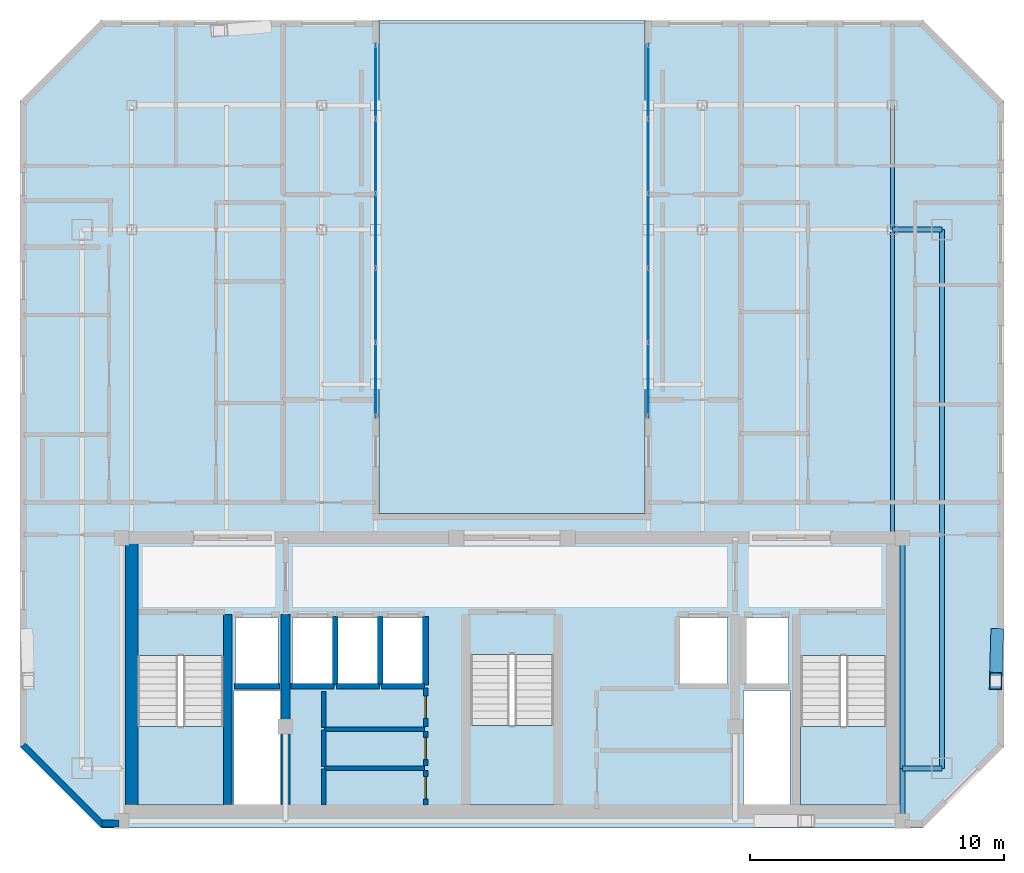
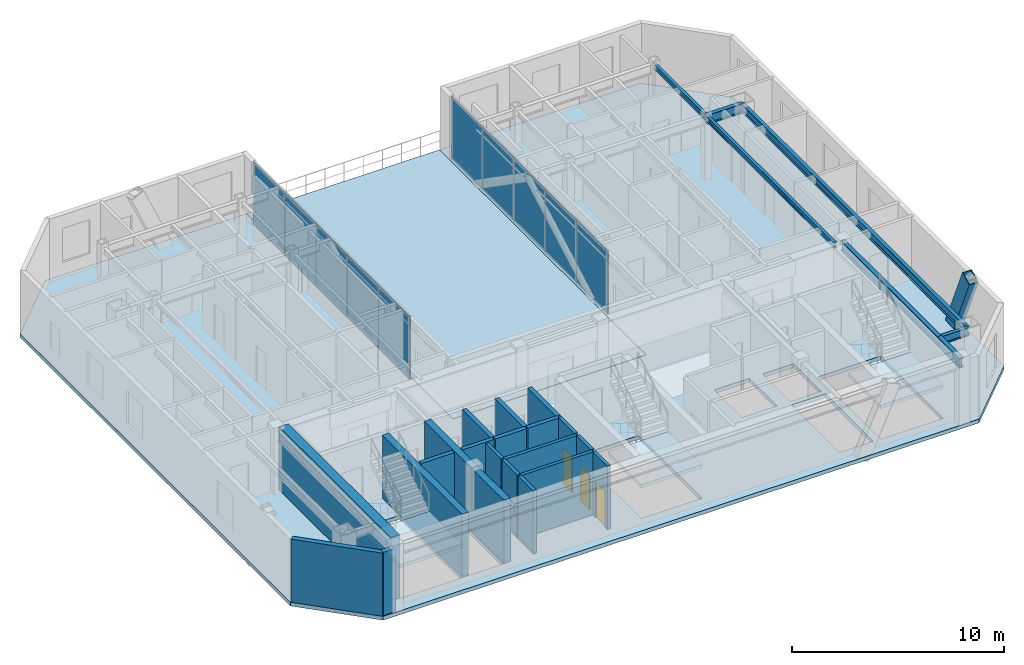
# One storey, part 8 of 14: 20 walls, 10 plates, 7 beams, 5 slabs, 3 doors, 1 member, 3 openings, 5 elements without a shape of their own.
"""IFC4 building model written with IfcOpenShell, lengths in metres."""

from ifc_helpers import new_model, si_unit, direction, frame, frame_2d, origin, origin_2d, place, context, subcontext, project, spatial, polyline, rectangle, hollow_rectangle, i_section, outline, extrude, material, layer, layer_set, material_profile, profile_set, type_object, element, fill, aggregate, save


model = new_model("IFC4")

# Units and contexts
model_context = context("Model", 3, precision=1e-05, world=origin(), true_north=direction((0.0, 1.0)))
body_context = subcontext(model_context, "Body", "Model", "MODEL_VIEW")
ifc_project = project(units=[si_unit("LENGTHUNIT", "METRE"), si_unit("AREAUNIT", "SQUARE_METRE"), si_unit("VOLUMEUNIT", "CUBIC_METRE"), si_unit("PLANEANGLEUNIT", "RADIAN"), si_unit("MASSUNIT", "GRAM", prefix="KILO")], contexts=[model_context])

# Site, building, storey
site_placement = place(None, origin())
site = spatial("IfcSite", under=ifc_project, at=site_placement, CompositionType="ELEMENT")
building_placement = place(site_placement, origin())
building = spatial("IfcBuilding", under=site, at=building_placement, Name="Ventersveld Concourse Tower", CompositionType="ELEMENT")
storey_placement = place(building_placement, frame((0.0, 0.0, 337.5)))
storey = spatial("IfcBuildingStorey", under=building, at=storey_placement, Name="L83", CompositionType="ELEMENT", Elevation=337.5)

# Beams
ifc_material_1 = material(Name="Structural steel S355J2", Category="steel")
ifc_material_profile_1 = material_profile(ifc_material_1, i_section(OverallWidth=0.1650390625, OverallDepth=0.303466796875, WebThickness=0.006103515625, FlangeThickness=0.01025390625, FilletRadius=0.0087890625, at=origin_2d()), Name="UB 305x165x40")
ifc_profile_set_1 = profile_set([ifc_material_profile_1], Name="Structural steel S355J2")
beam_type_1 = type_object("IfcBeamType", Name="BM-UB305", PredefinedType="BEAM", material=ifc_profile_set_1)
beam_1_placement = place(storey_placement, frame((43.75, 11.449951171875, 3.478271484375), z_axis=(0.0, 1.0, 0.0), x_axis=(-1.0, 0.0, 0.0)))
element("IfcBeam", 1, at=beam_1_placement, inside=storey, type_object=beam_type_1, Name="L83 N-S Composite Floor Beam South X=43.75", PredefinedType="BEAM", context=body_context, shape_type="SweptSolid", body=[
    extrude(i_section(OverallWidth=0.1650390625, OverallDepth=0.303466796875, WebThickness=0.006103515625, FlangeThickness=0.01025390625, FilletRadius=0.0087890625, at=origin_2d()), origin(), (0.0, 0.0, 1.0), 12.150146484375),
])
beam_2_placement = place(storey_placement, frame((43.75, 23.60009765625, 3.478271484375), z_axis=(0.0, 1.0, 0.0), x_axis=(-1.0, 0.0, 0.0)))
element("IfcBeam", 2, at=beam_2_placement, inside=storey, type_object=beam_type_1, Name="L83 N-S Upper-Zone Floor Beam X=43.75", PredefinedType="BEAM", context=body_context, shape_type="SweptSolid", body=[
    extrude(i_section(OverallWidth=0.1650390625, OverallDepth=0.303466796875, WebThickness=0.006103515625, FlangeThickness=0.01025390625, FilletRadius=0.0087890625, at=origin_2d()), origin(), (0.0, 0.0, 1.0), 4.89990234375),
])
ifc_material_profile_2 = material_profile(ifc_material_1, i_section(OverallWidth=0.209228515625, OverallDepth=0.533203125, WebThickness=0.010009765625, FlangeThickness=0.015625, FilletRadius=0.0126953125, at=origin_2d()), Name="UB 533x210x92")
ifc_profile_set_2 = profile_set([ifc_material_profile_2], Name="Structural steel S355J2")
beam_type_2 = type_object("IfcBeamType", Name="GRD-UB533", PredefinedType="T_BEAM", material=ifc_profile_set_2)
beam_3_placement = place(storey_placement, frame((43.75, 23.60009765625, 3.363525390625), z_axis=(1.0, 0.0, 0.0), x_axis=(0.0, 1.0, 0.0)))
element("IfcBeam", 3, at=beam_3_placement, inside=storey, type_object=beam_type_2, Name="L83 Primary E-W Grid Girder Y=23.60 #5", PredefinedType="T_BEAM", context=body_context, shape_type="SweptSolid", body=[
    extrude(i_section(OverallWidth=0.209228515625, OverallDepth=0.533203125, WebThickness=0.010009765625, FlangeThickness=0.015625, FilletRadius=0.0126953125, at=origin_2d()), origin(), (0.0, 0.0, 1.0), 1.949951171875),
])
ifc_material_profile_3 = material_profile(ifc_material_1, i_section(OverallWidth=0.2119140625, OverallDepth=0.54443359375, WebThickness=0.0126953125, FlangeThickness=0.021240234375, FilletRadius=0.0126953125, at=origin_2d()), Name="UB 533x210x122")
ifc_profile_set_3 = profile_set([ifc_material_profile_3], Name="Structural steel S355J2")
beam_type_3 = type_object("IfcBeamType", Name="GRD-UB533H", PredefinedType="T_BEAM", material=ifc_profile_set_3)
beam_4_placement = place(storey_placement, frame((44.14990234375, 0.280029296875, 3.35791015625), z_axis=(0.0, 1.0, 0.0), x_axis=(-1.0, 0.0, 0.0)))
element("IfcBeam", 4, at=beam_4_placement, inside=storey, type_object=beam_type_3, Name="L83 Core East Tie Beam S", PredefinedType="T_BEAM", context=body_context, shape_type="SweptSolid", body=[
    extrude(i_section(OverallWidth=0.2119140625, OverallDepth=0.54443359375, WebThickness=0.0126953125, FlangeThickness=0.021240234375, FilletRadius=0.0126953125, at=origin_2d()), origin(), (0.0, 0.0, 1.0), 2.070068359375),
])
beam_5_placement = place(storey_placement, frame((44.14990234375, 2.35009765625, 3.35791015625), z_axis=(0.0, 1.0, 0.0), x_axis=(-1.0, 0.0, 0.0)))
element("IfcBeam", 5, at=beam_5_placement, inside=storey, type_object=beam_type_3, Name="L83 Core East Tie Beam N", PredefinedType="T_BEAM", context=body_context, shape_type="SweptSolid", body=[
    extrude(i_section(OverallWidth=0.2119140625, OverallDepth=0.54443359375, WebThickness=0.0126953125, FlangeThickness=0.021240234375, FilletRadius=0.0126953125, at=origin_2d()), origin(), (0.0, 0.0, 1.0), 9.099853515625),
])

# Member
ifc_material_2 = material(Name="Structural steel S355ML", Category="steel")
ifc_material_profile_4 = material_profile(ifc_material_2, hollow_rectangle(XDim=0.5, YDim=0.75, WallThickness=0.034912109375, at=origin_2d()), Name="BOX 750x500x35")
ifc_profile_set_4 = profile_set([ifc_material_profile_4], Name="Structural steel S355ML")
member_type = type_object("IfcMemberType", Name="MB-750x500", PredefinedType="BRACE", material=ifc_profile_set_4)
member_placement = place(storey_placement, frame((47.87646484375, 7.521484375, -0.219970703125), z_axis=(-0.011632977634, -0.408601104942, 0.912638926888), x_axis=(0.9995949685, -0.028458723607, 0.0)))
element("IfcMember", 6, at=member_placement, inside=storey, type_object=member_type, Name="L83 Exterior Mega-Brace E (Module M20)", PredefinedType="BRACE", context=body_context, shape_type="SweptSolid", body=[
    extrude(hollow_rectangle(XDim=0.5, YDim=0.75, WallThickness=0.034912109375, at=origin_2d()), origin(), (0.0, 0.0, 1.0), 4.21826171875),
])

# Beams
ifc_material_profile_5 = material_profile(ifc_material_1, i_section(OverallWidth=0.19140625, OverallDepth=0.4599609375, WebThickness=0.010009765625, FlangeThickness=0.01611328125, FilletRadius=0.01025390625, at=origin_2d()), Name="UB 457x191x82")
ifc_profile_set_5 = profile_set([ifc_material_profile_5], Name="Structural steel S355J2")
beam_type_4 = type_object("IfcBeamType", Name="SPD-UB457", PredefinedType="SPANDREL", material=ifc_profile_set_5)
beam_6_placement = place(storey_placement, frame((44.14990234375, 2.35009765625, 3.39990234375), z_axis=(1.0, 0.0, 0.0), x_axis=(0.0, 1.0, 0.0)))
element("IfcBeam", 7, at=beam_6_placement, inside=storey, type_object=beam_type_4, Name="L83 SE Spandrel Beam", PredefinedType="SPANDREL", context=body_context, shape_type="SweptSolid", body=[
    extrude(i_section(OverallWidth=0.19140625, OverallDepth=0.4599609375, WebThickness=0.010009765625, FlangeThickness=0.01611328125, FilletRadius=0.01025390625, at=origin_2d()), origin(), (0.0, 0.0, 1.0), 1.550048828125),
])
beam_7_placement = place(storey_placement, frame((45.699951171875, 2.35009765625, 3.39990234375), z_axis=(0.0, 1.0, 0.0), x_axis=(-1.0, 0.0, 0.0)))
element("IfcBeam", 8, at=beam_7_placement, inside=storey, type_object=beam_type_4, Name="L83 East Spandrel Beam", PredefinedType="SPANDREL", context=body_context, shape_type="SweptSolid", body=[
    extrude(i_section(OverallWidth=0.19140625, OverallDepth=0.4599609375, WebThickness=0.010009765625, FlangeThickness=0.01611328125, FilletRadius=0.01025390625, at=origin_2d()), origin(), (0.0, 0.0, 1.0), 21.25),
])

# Curtain wall, plates
ifc_material_3 = material(Name="Anodised aluminium EN AW-6063-T6", Category="aluminium")
curtain_wall_type = type_object("IfcCurtainWallType", Name="CW-WP-5", PredefinedType="NOTDEFINED", material=ifc_material_3)
curtain_wall_1_placement = place(storey_placement, origin())
curtain_wall_1 = element("IfcCurtainWall", 9, at=curtain_wall_1_placement, inside=storey, type_object=curtain_wall_type, Name="L83 L83 Wind Portal Aerodynamic Cheek Curtain Wall", PredefinedType="NOTDEFINED")
ifc_material_4 = material(Name="Low-E double glazing IGU", Category="glass")
ifc_layer_1 = layer(ifc_material_4, 0.0380859375)
ifc_layer_set_1 = layer_set([ifc_layer_1], Name="Low-E double glazing IGU")
plate_type = type_object("IfcPlateType", Name="CWP-GLZ-38", PredefinedType="CURTAIN_PANEL", material=ifc_layer_set_1)
plate_1_placement = place(storey_placement, frame((34.1298828125, 17.67138671875, 0.02001953125), z_axis=(0.0, 0.0, 1.0), x_axis=(0.0, 1.0, 0.0)))
plate_1 = element("IfcPlate", 10, at=plate_1_placement, type_object=plate_type, Name="CW-L83-WP-E Glazed Panel 01-1", PredefinedType="CURTAIN_PANEL", context=body_context, shape_type="SweptSolid", body=[
    extrude(rectangle(XDim=2.932861328125, YDim=0.0380859375, at=origin_2d()), origin(), (0.0, 0.0, 1.0), 3.590087890625),
])
plate_2_placement = place(storey_placement, frame((34.1298828125, 20.614013671875, 0.02001953125), z_axis=(0.0, 0.0, 1.0), x_axis=(0.0, 1.0, 0.0)))
plate_2 = element("IfcPlate", 11, at=plate_2_placement, type_object=plate_type, Name="CW-L83-WP-E Glazed Panel 02-1", PredefinedType="CURTAIN_PANEL", context=body_context, shape_type="SweptSolid", body=[
    extrude(rectangle(XDim=2.932861328125, YDim=0.0380859375, at=origin_2d()), origin(), (0.0, 0.0, 1.0), 3.590087890625),
])
plate_3_placement = place(storey_placement, frame((34.1298828125, 23.556884765625, 0.02001953125), z_axis=(0.0, 0.0, 1.0), x_axis=(0.0, 1.0, 0.0)))
plate_3 = element("IfcPlate", 12, at=plate_3_placement, type_object=plate_type, Name="CW-L83-WP-E Glazed Panel 03-1", PredefinedType="CURTAIN_PANEL", context=body_context, shape_type="SweptSolid", body=[
    extrude(rectangle(XDim=2.932861328125, YDim=0.0380859375, at=origin_2d()), origin(), (0.0, 0.0, 1.0), 3.590087890625),
])
plate_4_placement = place(storey_placement, frame((34.1298828125, 26.499755859375, 0.02001953125), z_axis=(0.0, 0.0, 1.0), x_axis=(0.0, 1.0, 0.0)))
plate_4 = element("IfcPlate", 13, at=plate_4_placement, type_object=plate_type, Name="CW-L83-WP-E Glazed Panel 04-1", PredefinedType="CURTAIN_PANEL", context=body_context, shape_type="SweptSolid", body=[
    extrude(rectangle(XDim=2.932861328125, YDim=0.0380859375, at=origin_2d()), origin(), (0.0, 0.0, 1.0), 3.590087890625),
])
plate_5_placement = place(storey_placement, frame((34.1298828125, 29.4423828125, 0.02001953125), z_axis=(0.0, 0.0, 1.0), x_axis=(0.0, 1.0, 0.0)))
plate_5 = element("IfcPlate", 14, at=plate_5_placement, type_object=plate_type, Name="CW-L83-WP-E Glazed Panel 05-1", PredefinedType="CURTAIN_PANEL", context=body_context, shape_type="SweptSolid", body=[
    extrude(rectangle(XDim=2.932861328125, YDim=0.0380859375, at=origin_2d()), origin(), (0.0, 0.0, 1.0), 3.590087890625),
])
aggregate(curtain_wall_1, [plate_1, plate_2, plate_3, plate_4, plate_5])

curtain_wall_2_placement = place(storey_placement, origin())
curtain_wall_2 = element("IfcCurtainWall", 15, at=curtain_wall_2_placement, inside=storey, type_object=curtain_wall_type, Name="L83 L83 Wind Portal Aerodynamic Cheek Curtain Wall", PredefinedType="NOTDEFINED")
plate_6_placement = place(storey_placement, frame((23.3701171875, 17.67138671875, 0.02001953125), z_axis=(0.0, 0.0, 1.0), x_axis=(0.0, 1.0, 0.0)))
plate_6 = element("IfcPlate", 16, at=plate_6_placement, type_object=plate_type, Name="CW-L83-WP-W Glazed Panel 01-1", PredefinedType="CURTAIN_PANEL", context=body_context, shape_type="SweptSolid", body=[
    extrude(rectangle(XDim=2.932861328125, YDim=0.0380859375, at=origin_2d()), origin(), (0.0, 0.0, 1.0), 3.590087890625),
])
plate_7_placement = place(storey_placement, frame((23.3701171875, 20.614013671875, 0.02001953125), z_axis=(0.0, 0.0, 1.0), x_axis=(0.0, 1.0, 0.0)))
plate_7 = element("IfcPlate", 17, at=plate_7_placement, type_object=plate_type, Name="CW-L83-WP-W Glazed Panel 02-1", PredefinedType="CURTAIN_PANEL", context=body_context, shape_type="SweptSolid", body=[
    extrude(rectangle(XDim=2.932861328125, YDim=0.0380859375, at=origin_2d()), origin(), (0.0, 0.0, 1.0), 3.590087890625),
])
plate_8_placement = place(storey_placement, frame((23.3701171875, 23.556884765625, 0.02001953125), z_axis=(0.0, 0.0, 1.0), x_axis=(0.0, 1.0, 0.0)))
plate_8 = element("IfcPlate", 18, at=plate_8_placement, type_object=plate_type, Name="CW-L83-WP-W Glazed Panel 03-1", PredefinedType="CURTAIN_PANEL", context=body_context, shape_type="SweptSolid", body=[
    extrude(rectangle(XDim=2.932861328125, YDim=0.0380859375, at=origin_2d()), origin(), (0.0, 0.0, 1.0), 3.590087890625),
])
plate_9_placement = place(storey_placement, frame((23.3701171875, 26.499755859375, 0.02001953125), z_axis=(0.0, 0.0, 1.0), x_axis=(0.0, 1.0, 0.0)))
plate_9 = element("IfcPlate", 19, at=plate_9_placement, type_object=plate_type, Name="CW-L83-WP-W Glazed Panel 04-1", PredefinedType="CURTAIN_PANEL", context=body_context, shape_type="SweptSolid", body=[
    extrude(rectangle(XDim=2.932861328125, YDim=0.0380859375, at=origin_2d()), origin(), (0.0, 0.0, 1.0), 3.590087890625),
])
plate_10_placement = place(storey_placement, frame((23.3701171875, 29.4423828125, 0.02001953125), z_axis=(0.0, 0.0, 1.0), x_axis=(0.0, 1.0, 0.0)))
plate_10 = element("IfcPlate", 20, at=plate_10_placement, type_object=plate_type, Name="CW-L83-WP-W Glazed Panel 05-1", PredefinedType="CURTAIN_PANEL", context=body_context, shape_type="SweptSolid", body=[
    extrude(rectangle(XDim=2.932861328125, YDim=0.0380859375, at=origin_2d()), origin(), (0.0, 0.0, 1.0), 3.590087890625),
])
aggregate(curtain_wall_2, [plate_6, plate_7, plate_8, plate_9, plate_10])

# Slabs
ifc_material_5 = material(Name="Concrete C50/60", Category="concrete")
ifc_layer_2 = layer(ifc_material_5, 0.219970703125)
ifc_layer_set_2 = layer_set([ifc_layer_2], Name="Concrete C50/60")
slab_type_1 = type_object("IfcSlabType", Name="SL-FLR-220", PredefinedType="FLOOR", material=ifc_layer_set_2)
slab_1_placement = place(storey_placement, frame((0.0, 0.0, -0.219970703125)))
element("IfcSlab", 21, at=slab_1_placement, inside=storey, type_object=slab_type_1, Name="L83 Composite Floor Slab", PredefinedType="FLOOR", context=body_context, shape_type="SweptSolid", body=[
    extrude(outline(polyline([(12.54833984375, 0.0), (44.95166015625, 0.0), (48.151611328125, 3.199951171875), (48.151611328125, 28.65380859375), (44.95166015625, 31.853759765625), (34.0, 31.853759765625), (34.0, 12.39990234375), (23.5, 12.39990234375), (23.5, 31.853759765625), (12.54833984375, 31.853759765625), (9.348388671875, 28.65380859375), (9.348388671875, 3.199951171875), (12.54833984375, 0.0)]), holes=[polyline([(13.97998046875, 6.794921875), (13.97998046875, 0.89990234375), (17.3798828125, 0.89990234375), (17.3798828125, 6.794921875), (13.97998046875, 6.794921875)]), polyline([(40.1201171875, 6.794921875), (40.1201171875, 0.89990234375), (43.52001953125, 0.89990234375), (43.52001953125, 6.794921875), (40.1201171875, 6.794921875)]), polyline([(27.10009765625, 6.844970703125), (27.10009765625, 0.89990234375), (30.39990234375, 0.89990234375), (30.39990234375, 6.844970703125), (27.10009765625, 6.844970703125)]), polyline([(17.85009765625, 5.699951171875), (19.530029296875, 5.699951171875), (19.530029296875, 8.300048828125), (17.85009765625, 8.300048828125), (17.85009765625, 5.699951171875)]), polyline([(37.969970703125, 5.699951171875), (39.64990234375, 5.699951171875), (39.64990234375, 8.300048828125), (37.969970703125, 8.300048828125), (37.969970703125, 5.699951171875)]), polyline([(35.35009765625, 5.699951171875), (37.25, 5.699951171875), (37.25, 8.300048828125), (35.35009765625, 8.300048828125), (35.35009765625, 5.699951171875)]), polyline([(20.090087890625, 5.699951171875), (21.68994140625, 5.699951171875), (21.68994140625, 8.300048828125), (20.090087890625, 8.300048828125), (20.090087890625, 5.699951171875)]), polyline([(21.8701171875, 5.699951171875), (23.469970703125, 5.699951171875), (23.469970703125, 8.300048828125), (21.8701171875, 8.300048828125), (21.8701171875, 5.699951171875)]), polyline([(23.64990234375, 5.699951171875), (25.25, 5.699951171875), (25.25, 8.300048828125), (23.64990234375, 8.300048828125), (23.64990234375, 5.699951171875)]), polyline([(17.780029296875, 0.919921875), (19.6201171875, 0.919921875), (19.6201171875, 5.419921875), (17.780029296875, 5.419921875), (17.780029296875, 0.919921875)]), polyline([(37.8798828125, 0.919921875), (39.719970703125, 0.919921875), (39.719970703125, 5.419921875), (37.8798828125, 5.419921875), (37.8798828125, 0.919921875)])]), origin(), (0.0, 0.0, 1.0), 0.219970703125),
])
slab_2_placement = place(storey_placement, frame((0.0, 0.0, -0.219970703125)))
element("IfcSlab", 22, at=slab_2_placement, inside=storey, type_object=slab_type_1, Name="L83 Outdoor Terrace Slab PORTAL-DECK", PredefinedType="FLOOR", context=body_context, shape_type="SweptSolid", body=[
    extrude(outline(polyline([(23.5, 12.39990234375), (34.0, 12.39990234375), (34.0, 31.853759765625), (23.5, 31.853759765625), (23.5, 12.39990234375)])), origin(), (0.0, 0.0, 1.0), 0.219970703125),
])

# Stair, slab
stair_type_1 = type_object("IfcStairType", Name="ST-DOG-160", PredefinedType="HALF_TURN_STAIR", material=ifc_material_5)
stair_1_placement = place(storey_placement, origin())
stair_1 = element("IfcStair", 23, at=stair_1_placement, inside=storey, type_object=stair_type_1, Name="L83 Protected Tower Escape Stair ST-01", PredefinedType="HALF_TURN_STAIR")
ifc_layer_3 = layer(ifc_material_5, 0.199951171875)
ifc_layer_set_3 = layer_set([ifc_layer_3], Name="Concrete C50/60")
slab_type_2 = type_object("IfcSlabType", Name="SL-LND-200", PredefinedType="LANDING", material=ifc_layer_set_3)
slab_3_placement = place(storey_placement, frame((0.0, 0.0, 1.72509765625)))
slab_3 = element("IfcSlab", 24, at=slab_3_placement, type_object=slab_type_2, Name="ST-01 landing 1", PredefinedType="LANDING", context=body_context, shape_type="SweptSolid", body=[
    extrude(outline(polyline([(13.97998046875, 4.0), (13.97998046875, 0.89990234375), (17.3798828125, 0.89990234375), (17.3798828125, 4.0), (13.97998046875, 4.0)])), origin(), (0.0, 0.0, 1.0), 0.199951171875),
])
aggregate(stair_1, [slab_3])

stair_2_placement = place(storey_placement, origin())
stair_2 = element("IfcStair", 25, at=stair_2_placement, inside=storey, type_object=stair_type_1, Name="L83 Protected Tower Escape Stair ST-02", PredefinedType="HALF_TURN_STAIR")
slab_4_placement = place(storey_placement, frame((0.0, 0.0, 1.72509765625)))
slab_4 = element("IfcSlab", 26, at=slab_4_placement, type_object=slab_type_2, Name="ST-02 landing 1", PredefinedType="LANDING", context=body_context, shape_type="SweptSolid", body=[
    extrude(outline(polyline([(40.1201171875, 4.0), (40.1201171875, 0.89990234375), (43.52001953125, 0.89990234375), (43.52001953125, 4.0), (40.1201171875, 4.0)])), origin(), (0.0, 0.0, 1.0), 0.199951171875),
])
aggregate(stair_2, [slab_4])

stair_type_2 = type_object("IfcStairType", Name="ST-DOG-155", PredefinedType="HALF_TURN_STAIR", material=ifc_material_5)
stair_3_placement = place(storey_placement, origin())
stair_3 = element("IfcStair", 27, at=stair_3_placement, inside=storey, type_object=stair_type_2, Name="L83 Protected Central Core Escape Stair ST-03", PredefinedType="HALF_TURN_STAIR")
slab_5_placement = place(storey_placement, frame((0.0, 0.0, 1.72509765625)))
slab_5 = element("IfcSlab", 28, at=slab_5_placement, type_object=slab_type_2, Name="ST-03 landing 1", PredefinedType="LANDING", context=body_context, shape_type="SweptSolid", body=[
    extrude(outline(polyline([(27.10009765625, 4.050048828125), (27.10009765625, 0.89990234375), (30.39990234375, 0.89990234375), (30.39990234375, 4.050048828125), (27.10009765625, 4.050048828125)])), origin(), (0.0, 0.0, 1.0), 0.199951171875),
])
aggregate(stair_3, [slab_5])

# Walls
ifc_layer_4 = layer(ifc_material_5, 0.35009765625)
ifc_layer_set_4 = layer_set([ifc_layer_4], Name="Concrete C50/60")
wall_type_1 = type_object("IfcWallType", Name="WL-CORE-350U", PredefinedType="SHEAR", material=ifc_layer_set_4)
for number, where, z_axis, x_axis, name in (
    (29, (17.5400390625, 0.919921875, 0.0), (0.0, 0.0, 1.0), (0.0, 1.0, 0.0), "L83 Core Internal Shear Web W-ST1-E"),
    (30, (19.820068359375, 0.919921875, 0.0), (0.0, 0.0, 1.0), (0.0, 1.0, 0.0), "L83 Core Internal Shear Web W-FF1-E"),
):
    element("IfcWall", number, at=place(storey_placement, frame(where, z_axis=z_axis, x_axis=x_axis)), inside=storey, type_object=wall_type_1, Name=name, PredefinedType="SHEAR", context=body_context, shape_type="SweptSolid", body=[
        extrude(rectangle(XDim=7.5, YDim=0.35009765625, at=frame_2d((3.75, 0.0))), origin(), (0.0, 0.0, 1.0), 3.6298828125),
    ])
ifc_layer_5 = layer(ifc_material_5, 0.5)
ifc_layer_set_5 = layer_set([ifc_layer_5], Name="Concrete C50/60")
wall_type_2 = type_object("IfcWallType", Name="WL-CORE-500", PredefinedType="SHEAR", material=ifc_layer_set_5)
wall_1_placement = place(storey_placement, frame((13.75, 0.919921875, 0.0), z_axis=(0.0, 0.0, 1.0), x_axis=(0.0, 1.0, 0.0)))
element("IfcWall", 31, at=wall_1_placement, inside=storey, type_object=wall_type_2, Name="L83 Rear Core West Shear Wall", PredefinedType="SHEAR", context=body_context, shape_type="SweptSolid", body=[
    extrude(rectangle(XDim=10.530029296875, YDim=0.5, at=frame_2d((5.26513671875, 0.0))), origin(), (0.0, 0.0, 1.0), 3.6298828125),
])

# Wall, opening, door
ifc_material_6 = material(Name="Fire-rated autoclaved aerated masonry blockwork", Category="masonry")
ifc_layer_6 = layer(ifc_material_6, 0.179931640625)
ifc_layer_set_6 = layer_set([ifc_layer_6], Name="Fire-rated autoclaved aerated masonry blockwork")
wall_type_3 = type_object("IfcWallType", Name="WL-CORR-180", PredefinedType="PARTITIONING", material=ifc_layer_set_6)
wall_2_placement = place(storey_placement, frame((25.35009765625, 0.89990234375, 0.0), z_axis=(0.0, 0.0, 1.0), x_axis=(0.0, 1.0, 0.0)))
wall_2 = element("IfcWall", 32, at=wall_2_placement, inside=storey, type_object=wall_type_3, Name="L83 Core Passage Wall SP-L83-RECB1S", PredefinedType="PARTITIONING", context=body_context, shape_type="SweptSolid", body=[
    extrude(rectangle(XDim=1.3701171875, YDim=0.179931640625, at=frame_2d((0.68505859375, 0.0))), origin(), (0.0, 0.0, 1.0), 3.6298828125),
])
opening_1_placement = place(wall_2_placement, frame((0.2451171875, 0.0, 0.0)))
opening_1 = element("IfcOpeningElement", 33, at=opening_1_placement, cuts=wall_2, Name="Opening FD5", PredefinedType="OPENING", context=body_context, shape_type="SweptSolid", body=[
    extrude(rectangle(XDim=0.8798828125, YDim=2.050048828125, at=frame_2d((0.43994140625, 1.02490234375))), frame((0.0, 0.10009765625, 0.0), z_axis=(0.0, -1.0, 0.0), x_axis=(1.0, 0.0, 0.0)), (0.0, 0.0, 1.0), 0.199951171875),
])
ifc_material_7 = material(Name="Galvanised painted steel", Category="steel")
door_type = type_object("IfcDoorType", Name="DR-RISER-088", OperationType="NOTDEFINED", PredefinedType="DOOR", material=ifc_material_7)
door_1_placement = place(opening_1_placement, origin())
door_1 = element("IfcDoor", 34, at=door_1_placement, inside=storey, type_object=door_type, Name="L83 Core Room Door L83 Reclaimed Core Wine Cellar Store (CD-L83-3736)", OperationType="SINGLE_SWING_LEFT", OverallHeight=2.050048828125, OverallWidth=0.8798828125, PredefinedType="DOOR", context=body_context, shape_type="SweptSolid", body=[
    extrude(rectangle(XDim=0.8798828125, YDim=2.050048828125, at=frame_2d((0.43994140625, 1.02490234375))), frame((0.0, 0.02490234375, 0.0), z_axis=(0.0, -1.0, 0.0), x_axis=(1.0, 0.0, 0.0)), (0.0, 0.0, 1.0), 0.050048828125),
])
fill(opening_1, door_1)

# Walls
wall_3_placement = place(storey_placement, frame((21.360107421875, 2.360107421875, 0.0), z_axis=(0.0, 0.0, 1.0), x_axis=(1.0, 0.0, 0.0)))
element("IfcWall", 35, at=wall_3_placement, inside=storey, type_object=wall_type_3, Name="L83 Core Top Wall SP-L83-RECB1S", PredefinedType="PARTITIONING", context=body_context, shape_type="SweptSolid", body=[
    extrude(rectangle(XDim=3.93994140625, YDim=0.179931640625, at=frame_2d((1.969970703125, 0.0))), origin(), (0.0, 0.0, 1.0), 3.6298828125),
])
wall_4_placement = place(storey_placement, frame((21.320068359375, 0.909912109375, 0.0), z_axis=(0.0, 0.0, 1.0), x_axis=(0.0, 1.0, 0.0)))
element("IfcWall", 36, at=wall_4_placement, inside=storey, type_object=wall_type_3, Name="L83 Core West Wall SP-L83-RECB1S", PredefinedType="PARTITIONING", context=body_context, shape_type="SweptSolid", body=[
    extrude(rectangle(XDim=1.41015625, YDim=0.179931640625, at=frame_2d((0.705078125, 0.0))), origin(), (0.0, 0.0, 1.0), 3.6298828125),
])

# Wall, opening, door
wall_5_placement = place(storey_placement, frame((25.35009765625, 2.469970703125, 0.0), z_axis=(0.0, 0.0, 1.0), x_axis=(0.0, 1.0, 0.0)))
wall_5 = element("IfcWall", 37, at=wall_5_placement, inside=storey, type_object=wall_type_3, Name="L83 Core Passage Wall SP-L83-RECB1M", PredefinedType="PARTITIONING", context=body_context, shape_type="SweptSolid", body=[
    extrude(rectangle(XDim=1.340087890625, YDim=0.179931640625, at=frame_2d((0.669921875, 0.0))), origin(), (0.0, 0.0, 1.0), 3.6298828125),
])
opening_2_placement = place(wall_5_placement, frame((0.22998046875, 0.0, 0.0)))
opening_2 = element("IfcOpeningElement", 38, at=opening_2_placement, cuts=wall_5, Name="Opening FD5", PredefinedType="OPENING", context=body_context, shape_type="SweptSolid", body=[
    extrude(rectangle(XDim=0.8798828125, YDim=2.050048828125, at=frame_2d((0.43994140625, 1.02490234375))), frame((0.0, 0.10009765625, 0.0), z_axis=(0.0, -1.0, 0.0), x_axis=(1.0, 0.0, 0.0)), (0.0, 0.0, 1.0), 0.199951171875),
])
door_2_placement = place(opening_2_placement, origin())
door_2 = element("IfcDoor", 39, at=door_2_placement, inside=storey, type_object=door_type, Name="L83 Core Room Door L83 Reclaimed Core Archive Store (CD-L83-3737)", OperationType="SINGLE_SWING_RIGHT", OverallHeight=2.050048828125, OverallWidth=0.8798828125, PredefinedType="DOOR", context=body_context, shape_type="SweptSolid", body=[
    extrude(rectangle(XDim=0.8798828125, YDim=2.050048828125, at=frame_2d((0.43994140625, 1.02490234375))), frame((0.0, 0.02490234375, 0.0), z_axis=(0.0, -1.0, 0.0), x_axis=(1.0, 0.0, 0.0)), (0.0, 0.0, 1.0), 0.050048828125),
])
fill(opening_2, door_2)

# Walls
wall_6_placement = place(storey_placement, frame((21.360107421875, 3.89990234375, 0.0), z_axis=(0.0, 0.0, 1.0), x_axis=(1.0, 0.0, 0.0)))
element("IfcWall", 40, at=wall_6_placement, inside=storey, type_object=wall_type_3, Name="L83 Core Top Wall SP-L83-RECB1M", PredefinedType="PARTITIONING", context=body_context, shape_type="SweptSolid", body=[
    extrude(rectangle(XDim=3.93994140625, YDim=0.179931640625, at=frame_2d((1.969970703125, 0.0))), origin(), (0.0, 0.0, 1.0), 3.6298828125),
])
wall_7_placement = place(storey_placement, frame((21.320068359375, 2.419921875, 0.0), z_axis=(0.0, 0.0, 1.0), x_axis=(0.0, 1.0, 0.0)))
element("IfcWall", 41, at=wall_7_placement, inside=storey, type_object=wall_type_3, Name="L83 Core West Wall SP-L83-RECB1M", PredefinedType="PARTITIONING", context=body_context, shape_type="SweptSolid", body=[
    extrude(rectangle(XDim=1.440185546875, YDim=0.179931640625, at=frame_2d((0.72021484375, 0.0))), origin(), (0.0, 0.0, 1.0), 3.6298828125),
])

# Wall, opening, door
wall_8_placement = place(storey_placement, frame((25.35009765625, 4.010009765625, 0.0), z_axis=(0.0, 0.0, 1.0), x_axis=(0.0, 1.0, 0.0)))
wall_8 = element("IfcWall", 42, at=wall_8_placement, inside=storey, type_object=wall_type_3, Name="L83 Core Passage Wall SP-L83-RECB1N", PredefinedType="PARTITIONING", context=body_context, shape_type="SweptSolid", body=[
    extrude(rectangle(XDim=1.510009765625, YDim=0.179931640625, at=frame_2d((0.7548828125, 0.0))), origin(), (0.0, 0.0, 1.0), 3.6298828125),
])
opening_3_placement = place(wall_8_placement, frame((0.31494140625, 0.0, 0.0)))
opening_3 = element("IfcOpeningElement", 43, at=opening_3_placement, cuts=wall_8, Name="Opening FD5", PredefinedType="OPENING", context=body_context, shape_type="SweptSolid", body=[
    extrude(rectangle(XDim=0.8798828125, YDim=2.050048828125, at=frame_2d((0.43994140625, 1.02490234375))), frame((0.0, 0.10009765625, 0.0), z_axis=(0.0, -1.0, 0.0), x_axis=(1.0, 0.0, 0.0)), (0.0, 0.0, 1.0), 0.199951171875),
])
door_3_placement = place(opening_3_placement, origin())
door_3 = element("IfcDoor", 44, at=door_3_placement, inside=storey, type_object=door_type, Name="L83 Core Room Door L83 Reclaimed Core Pram and Cycle Store (CD-L83-3738)", OperationType="SINGLE_SWING_LEFT", OverallHeight=2.050048828125, OverallWidth=0.8798828125, PredefinedType="DOOR", context=body_context, shape_type="SweptSolid", body=[
    extrude(rectangle(XDim=0.8798828125, YDim=2.050048828125, at=frame_2d((0.43994140625, 1.02490234375))), frame((0.0, 0.02490234375, 0.0), z_axis=(0.0, -1.0, 0.0), x_axis=(1.0, 0.0, 0.0)), (0.0, 0.0, 1.0), 0.050048828125),
])
fill(opening_3, door_3)

# Walls
wall_9_placement = place(storey_placement, frame((21.320068359375, 3.9599609375, 0.0), z_axis=(0.0, 0.0, 1.0), x_axis=(0.0, 1.0, 0.0)))
element("IfcWall", 45, at=wall_9_placement, inside=storey, type_object=wall_type_3, Name="L83 Core West Wall SP-L83-RECB1N", PredefinedType="PARTITIONING", context=body_context, shape_type="SweptSolid", body=[
    extrude(rectangle(XDim=1.419921875, YDim=0.179931640625, at=frame_2d((0.7099609375, 0.0))), origin(), (0.0, 0.0, 1.0), 3.6298828125),
])
ifc_layer_7 = layer(ifc_material_6, 0.219970703125)
ifc_layer_set_7 = layer_set([ifc_layer_7], Name="Fire-rated autoclaved aerated masonry blockwork")
wall_type_4 = type_object("IfcWallType", Name="WL-HOIST-220", PredefinedType="SOLIDWALL", material=ifc_layer_set_7)
wall_10_placement = place(storey_placement, frame((17.800048828125, 5.590087890625, 0.0), z_axis=(0.0, 0.0, 1.0), x_axis=(1.0, 0.0, 0.0)))
element("IfcWall", 46, at=wall_10_placement, inside=storey, type_object=wall_type_4, Name="L83 Lift Hoistway Back Wall FFL-01", PredefinedType="SOLIDWALL", context=body_context, shape_type="SweptSolid", body=[
    extrude(rectangle(XDim=1.780029296875, YDim=0.219970703125, at=frame_2d((0.89013671875, 0.0))), origin(), (0.0, 0.0, 1.0), 3.6298828125),
])
wall_11_placement = place(storey_placement, frame((20.0400390625, 5.590087890625, 0.0), z_axis=(0.0, 0.0, 1.0), x_axis=(1.0, 0.0, 0.0)))
element("IfcWall", 47, at=wall_11_placement, inside=storey, type_object=wall_type_4, Name="L83 Lift Hoistway Back Wall PH-01", PredefinedType="SOLIDWALL", context=body_context, shape_type="SweptSolid", body=[
    extrude(rectangle(XDim=1.699951171875, YDim=0.219970703125, at=frame_2d((0.85009765625, 0.0))), origin(), (0.0, 0.0, 1.0), 3.6298828125),
])
wall_12_placement = place(storey_placement, frame((21.780029296875, 5.64990234375, 0.0), z_axis=(0.0, 0.0, 1.0), x_axis=(0.0, 1.0, 0.0)))
element("IfcWall", 48, at=wall_12_placement, inside=storey, type_object=wall_type_4, Name="L83 Lift Hoistway Side Wall PH-01E", PredefinedType="SOLIDWALL", context=body_context, shape_type="SweptSolid", body=[
    extrude(rectangle(XDim=2.7001953125, YDim=0.219970703125, at=frame_2d((1.35009765625, 0.0))), origin(), (0.0, 0.0, 1.0), 3.6298828125),
])
wall_13_placement = place(storey_placement, frame((21.820068359375, 5.590087890625, 0.0), z_axis=(0.0, 0.0, 1.0), x_axis=(1.0, 0.0, 0.0)))
element("IfcWall", 49, at=wall_13_placement, inside=storey, type_object=wall_type_4, Name="L83 Lift Hoistway Back Wall PH-02", PredefinedType="SOLIDWALL", context=body_context, shape_type="SweptSolid", body=[
    extrude(rectangle(XDim=1.699951171875, YDim=0.219970703125, at=frame_2d((0.85009765625, 0.0))), origin(), (0.0, 0.0, 1.0), 3.6298828125),
])
wall_14_placement = place(storey_placement, frame((23.56005859375, 5.64990234375, 0.0), z_axis=(0.0, 0.0, 1.0), x_axis=(0.0, 1.0, 0.0)))
element("IfcWall", 50, at=wall_14_placement, inside=storey, type_object=wall_type_4, Name="L83 Lift Hoistway Side Wall PH-02E", PredefinedType="SOLIDWALL", context=body_context, shape_type="SweptSolid", body=[
    extrude(rectangle(XDim=2.7001953125, YDim=0.219970703125, at=frame_2d((1.35009765625, 0.0))), origin(), (0.0, 0.0, 1.0), 3.6298828125),
])
wall_15_placement = place(storey_placement, frame((23.60009765625, 5.590087890625, 0.0), z_axis=(0.0, 0.0, 1.0), x_axis=(1.0, 0.0, 0.0)))
element("IfcWall", 51, at=wall_15_placement, inside=storey, type_object=wall_type_4, Name="L83 Lift Hoistway Back Wall PH-03", PredefinedType="SOLIDWALL", context=body_context, shape_type="SweptSolid", body=[
    extrude(rectangle(XDim=1.699951171875, YDim=0.219970703125, at=frame_2d((0.85009765625, 0.0))), origin(), (0.0, 0.0, 1.0), 3.6298828125),
])
wall_16_placement = place(storey_placement, frame((25.340087890625, 5.64990234375, 0.0), z_axis=(0.0, 0.0, 1.0), x_axis=(0.0, 1.0, 0.0)))
element("IfcWall", 52, at=wall_16_placement, inside=storey, type_object=wall_type_4, Name="L83 Lift Hoistway Side Wall PH-03E", PredefinedType="SOLIDWALL", context=body_context, shape_type="SweptSolid", body=[
    extrude(rectangle(XDim=2.7001953125, YDim=0.219970703125, at=frame_2d((1.35009765625, 0.0))), origin(), (0.0, 0.0, 1.0), 3.6298828125),
])
ifc_material_8 = material(Name="Precast concrete C45/55", Category="concrete")
ifc_layer_8 = layer(ifc_material_8, 0.260009765625)
ifc_layer_set_8 = layer_set([ifc_layer_8], Name="Precast concrete C45/55")
wall_type_5 = type_object("IfcWallType", Name="WL-PREC-260", PredefinedType="SOLIDWALL", material=ifc_layer_set_8)
wall_17_placement = place(storey_placement, frame((12.58837890625, 0.179931640625, 0.0), z_axis=(0.0, 0.0, 1.0), x_axis=(1.0, 0.0, 0.0)))
element("IfcWall", 53, at=wall_17_placement, inside=storey, type_object=wall_type_5, Name="L83 South-West Flank Precast Wall", PredefinedType="SOLIDWALL", context=body_context, shape_type="SweptSolid", body=[
    extrude(rectangle(XDim=0.66162109375, YDim=0.260009765625, at=frame_2d((0.330810546875, 0.0))), origin(), (0.0, 0.0, 1.0), 3.6298828125),
])
wall_18_placement = place(storey_placement, frame((9.468505859375, 3.263671875, 0.0), z_axis=(0.0, 0.0, 1.0), x_axis=(0.707106781187, -0.707106781187, 0.0)))
element("IfcWall", 54, at=wall_18_placement, inside=storey, type_object=wall_type_5, Name="L83 Highveld Precast Facade Wall E12", PredefinedType="SOLIDWALL", context=body_context, shape_type="SweptSolid", body=[
    extrude(rectangle(XDim=4.445556640625, YDim=0.260009765625, at=frame_2d((2.22265625, 0.0))), origin(), (0.0, 0.0, 1.0), 3.6298828125),
])

save(model, "model.ifc")
